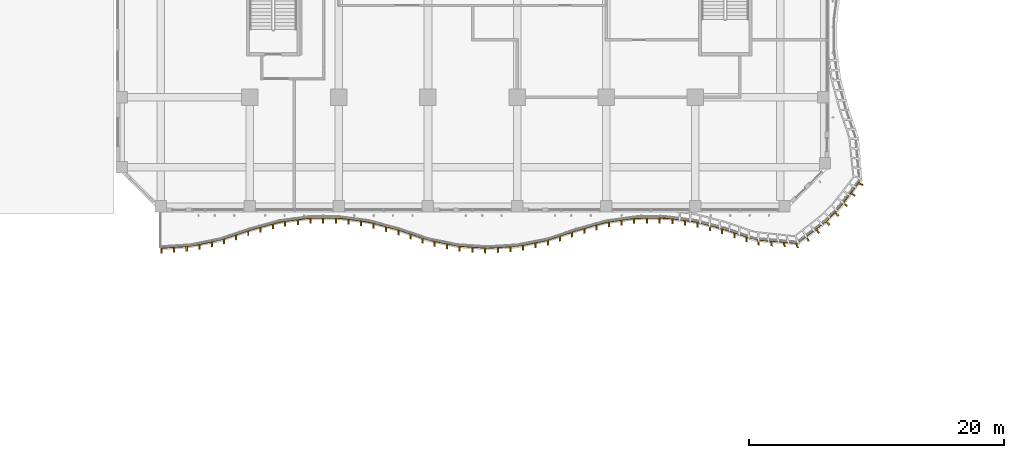
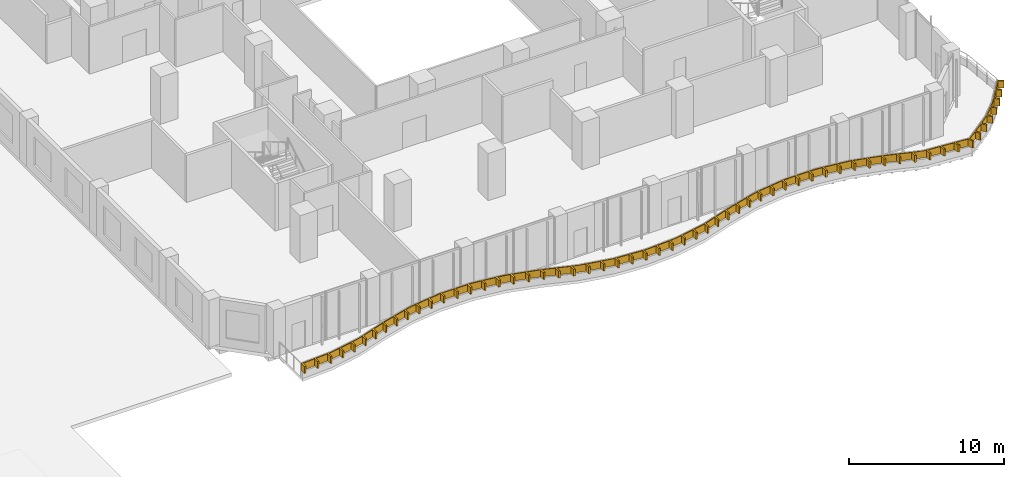
# One storey, part 23 of 29: 1 shading device.
"""IFC4 building model written with IfcOpenShell, lengths in metres."""

from ifc_helpers import new_model, si_unit, direction, frame, origin, place, context, subcontext, project, spatial, polyline, outline, extrude, source, transform, mapped, material, layer, layer_set, type_object, element, save


model = new_model("IFC4")

# Units and contexts
model_context = context("Model", 3, precision=1e-05, world=origin(), true_north=direction((0.0, 1.0)))
body_context = subcontext(model_context, "Body", "Model", "MODEL_VIEW")
ifc_project = project(units=[si_unit("LENGTHUNIT", "METRE"), si_unit("AREAUNIT", "SQUARE_METRE"), si_unit("VOLUMEUNIT", "CUBIC_METRE"), si_unit("PLANEANGLEUNIT", "RADIAN"), si_unit("MASSUNIT", "GRAM", prefix="KILO")], contexts=[model_context])

# Site, building, storey
site_placement = place(None, origin())
site = spatial("IfcSite", under=ifc_project, at=site_placement, CompositionType="ELEMENT")
building_placement = place(site_placement, origin())
building = spatial("IfcBuilding", under=site, at=building_placement, Name="Kilnfold Tower and Market Hall", CompositionType="ELEMENT")
storey_placement = place(building_placement, frame((0.0, 0.0, 27.0)))
storey = spatial("IfcBuildingStorey", under=building, at=storey_placement, Name="L05", CompositionType="ELEMENT", Elevation=27.0)

# Shading device
ifc_material = material(Name="Bronze anodised aluminium", Category="aluminium")
ifc_layer = layer(ifc_material, 0.550048828125)
ifc_layer_set = layer_set([ifc_layer], Name="Bronze anodised aluminium")
shading_device_type = type_object("IfcShadingDeviceType", Name="BRONZE SLAT FASCIA 550", PredefinedType="USERDEFINED", material=ifc_layer_set)
shared_shape = source(origin(), body_context, "Body", "SweptSolid", [
    extrude(outline(polyline([(-24.5, -31.25), (-24.5, -30.800048828125), (-22.166748046875, -30.646728515625), (-19.833251953125, -30.17919921875), (-17.5, -29.392333984375), (-15.166748046875, -28.753662109375), (-12.833251953125, -28.4404296875), (-10.5, -28.435791015625), (-8.166748046875, -28.739501953125), (-5.833251953125, -29.367919921875), (-3.5, -30.159912109375), (-1.166748046875, -30.637451171875), (1.166748046875, -30.7998046875), (3.5, -30.656005859375), (5.833251953125, -30.1982421875), (8.166748046875, -29.4169921875), (10.5, -28.76806640625), (12.833251953125, -28.4453125), (15.166748046875, -28.431396484375), (17.5, -28.7255859375), (19.833251953125, -29.34375), (22.166748046875, -30.14013671875), (25.505615234375, -30.427490234375), (27.633056640625, -28.7998046875), (28.7998046875, -27.633056640625), (30.378662109375, -25.569580078125), (30.364013671875, -25.715087890625), (30.699951171875, -25.866943359375), (30.624755859375, -25.9658203125), (30.2919921875, -25.80859375), (29.765869140625, -26.4951171875), (30.073974609375, -26.691650390625), (29.998779296875, -26.79052734375), (29.6943359375, -26.5888671875), (29.169921875, -27.276611328125), (29.447998046875, -27.516357421875), (29.372802734375, -27.615234375), (29.0986328125, -27.37060546875), (28.522216796875, -28.023681640625), (28.78369140625, -28.285400390625), (28.698974609375, -28.370361328125), (28.437255859375, -28.108642578125), (27.81494140625, -28.73095703125), (28.07666015625, -28.992431640625), (27.99169921875, -29.077392578125), (27.72998046875, -28.815673828125), (27.0458984375, -29.345703125), (27.272705078125, -29.6328125), (27.173828125, -29.7080078125), (26.951904296875, -29.417236328125), (26.264892578125, -29.9423828125), (26.447998046875, -30.2587890625), (26.34912109375, -30.333984375), (26.171142578125, -30.013916015625), (25.47119140625, -30.49609375), (25.610107421875, -30.83837890625), (25.4873046875, -30.82958984375), (25.35302734375, -30.48583984375), (24.4873046875, -30.412109375), (24.58544921875, -30.7646484375), (24.46240234375, -30.755859375), (24.369384765625, -30.402099609375), (23.504150390625, -30.32958984375), (23.560791015625, -30.690673828125), (23.437744140625, -30.681884765625), (23.385986328125, -30.31982421875), (22.52099609375, -30.248779296875), (22.535888671875, -30.61669921875), (22.412841796875, -30.60791015625), (22.403076171875, -30.2392578125), (21.561279296875, -30.013427734375), (21.561279296875, -30.383544921875), (21.44775390625, -30.3447265625), (21.44775390625, -29.974853515625), (20.614990234375, -29.6904296875), (20.614990234375, -30.060546875), (20.501220703125, -30.021728515625), (20.501220703125, -29.651611328125), (19.6650390625, -29.379150390625), (19.6650390625, -29.7490234375), (19.549072265625, -29.718505859375), (19.549072265625, -29.348388671875), (18.6982421875, -29.123046875), (18.6982421875, -29.492919921875), (18.582275390625, -29.46240234375), (18.582275390625, -29.09228515625), (17.731689453125, -28.866943359375), (17.731689453125, -29.237060546875), (17.61572265625, -29.206298828125), (17.61572265625, -28.836181640625), (16.74560546875, -28.71044921875), (16.74560546875, -29.08056640625), (16.626708984375, -29.0654296875), (16.626708984375, -28.695556640625), (15.75341796875, -28.58544921875), (15.75341796875, -28.95556640625), (15.634521484375, -28.9404296875), (15.634521484375, -28.570556640625), (14.758056640625, -28.513916015625), (14.758056640625, -28.8837890625), (14.63818359375, -28.884521484375), (14.63818359375, -28.5146484375), (13.75830078125, -28.52001953125), (13.75830078125, -28.889892578125), (13.63818359375, -28.890625), (13.63818359375, -28.5205078125), (12.7587890625, -28.53564453125), (12.7587890625, -28.90576171875), (12.639892578125, -28.922119140625), (12.639892578125, -28.552001953125), (11.768310546875, -28.672607421875), (11.768310546875, -29.042724609375), (11.6494140625, -29.05908203125), (11.6494140625, -28.689208984375), (10.777587890625, -28.809814453125), (10.777587890625, -29.1796875), (10.658935546875, -29.196044921875), (10.658935546875, -28.826171875), (9.806640625, -29.041015625), (9.806640625, -29.410888671875), (9.691162109375, -29.443115234375), (9.691162109375, -29.072998046875), (8.84326171875, -29.308837890625), (8.84326171875, -29.678955078125), (8.727783203125, -29.711181640625), (8.727783203125, -29.341064453125), (7.884521484375, -29.591552734375), (7.884521484375, -29.961669921875), (7.7705078125, -29.999755859375), (7.7705078125, -29.629638671875), (6.93603515625, -29.908935546875), (6.93603515625, -30.279052734375), (6.822265625, -30.317138671875), (6.822265625, -29.947021484375), (5.98779296875, -30.2265625), (5.98779296875, -30.596435546875), (5.8740234375, -30.634521484375), (5.8740234375, -30.2646484375), (5.011962890625, -30.439453125), (5.011962890625, -30.809326171875), (4.89404296875, -30.83251953125), (4.89404296875, -30.46240234375), (4.030517578125, -30.6318359375), (4.030517578125, -31.001953125), (3.912841796875, -31.02490234375), (3.912841796875, -30.655029296875), (3.04150390625, -30.764404296875), (3.04150390625, -31.13427734375), (2.921875, -31.1416015625), (2.921875, -30.771728515625), (2.04345703125, -30.82568359375), (2.04345703125, -31.19580078125), (1.923583984375, -31.203125), (1.923583984375, -30.833251953125), (1.04541015625, -30.87158203125), (1.04541015625, -31.241455078125), (0.92578125, -31.233154296875), (0.92578125, -30.863037109375), (0.0478515625, -30.802001953125), (0.0478515625, -31.172119140625), (-0.072021484375, -31.16357421875), (-0.072021484375, -30.793701171875), (-0.94970703125, -30.732421875), (-0.94970703125, -31.1025390625), (-1.0693359375, -31.09423828125), (-1.0693359375, -30.72412109375), (-1.933349609375, -30.560546875), (-1.933349609375, -30.930419921875), (-2.05078125, -30.906494140625), (-2.05078125, -30.53662109375), (-2.9130859375, -30.360107421875), (-2.9130859375, -30.72998046875), (-3.030517578125, -30.7060546875), (-3.030517578125, -30.3359375), (-3.879638671875, -30.111083984375), (-3.879638671875, -30.48095703125), (-3.9931640625, -30.4423828125), (-3.9931640625, -30.072509765625), (-4.826416015625, -29.78955078125), (-4.826416015625, -30.15966796875), (-4.940185546875, -30.12109375), (-4.940185546875, -29.7509765625), (-5.7734375, -29.468017578125), (-5.7734375, -29.838134765625), (-5.88818359375, -29.802978515625), (-5.88818359375, -29.43310546875), (-6.73779296875, -29.2041015625), (-6.73779296875, -29.57421875), (-6.853759765625, -29.54296875), (-6.853759765625, -29.173095703125), (-7.70361328125, -28.944091796875), (-7.70361328125, -29.314208984375), (-7.8193359375, -29.282958984375), (-7.8193359375, -28.9130859375), (-8.6826171875, -28.75244140625), (-8.6826171875, -29.122314453125), (-8.801513671875, -29.10693359375), (-8.801513671875, -28.73681640625), (-9.67431640625, -28.623291015625), (-9.67431640625, -28.993408203125), (-9.793212890625, -28.977783203125), (-9.793212890625, -28.60791015625), (-10.667236328125, -28.51611328125), (-10.667236328125, -28.88623046875), (-10.787353515625, -28.886474609375), (-10.787353515625, -28.5166015625), (-11.667236328125, -28.518310546875), (-11.667236328125, -28.88818359375), (-11.787353515625, -28.888427734375), (-11.787353515625, -28.518310546875), (-12.667236328125, -28.520263671875), (-12.667236328125, -28.89013671875), (-12.787353515625, -28.890380859375), (-12.787353515625, -28.5205078125), (-13.659912109375, -28.63134765625), (-13.659912109375, -29.00146484375), (-13.77880859375, -29.017333984375), (-13.77880859375, -28.6474609375), (-14.65087890625, -28.764404296875), (-14.65087890625, -29.134521484375), (-14.77001953125, -29.150390625), (-14.77001953125, -28.780517578125), (-15.62939453125, -28.960205078125), (-15.62939453125, -29.330078125), (-15.7451171875, -29.36181640625), (-15.7451171875, -28.991943359375), (-16.593994140625, -29.224365234375), (-16.593994140625, -29.59423828125), (-16.709716796875, -29.6259765625), (-16.709716796875, -29.255859375), (-17.557373046875, -29.49169921875), (-17.557373046875, -29.861572265625), (-17.671142578125, -29.89990234375), (-17.671142578125, -29.530029296875), (-18.5048828125, -29.811279296875), (-18.5048828125, -30.18115234375), (-18.61865234375, -30.219482421875), (-18.61865234375, -29.849609375), (-19.452392578125, -30.130859375), (-19.452392578125, -30.500732421875), (-19.566162109375, -30.5390625), (-19.566162109375, -30.169189453125), (-20.419921875, -30.376708984375), (-20.419921875, -30.74658203125), (-20.537353515625, -30.770263671875), (-20.537353515625, -30.400390625), (-21.400390625, -30.5732421875), (-21.400390625, -30.943115234375), (-21.517822265625, -30.966796875), (-21.517822265625, -30.5966796875), (-22.384521484375, -30.7412109375), (-22.384521484375, -31.111083984375), (-22.50439453125, -31.118896484375), (-22.50439453125, -30.7490234375), (-23.38232421875, -30.806640625), (-23.38232421875, -31.176513671875), (-23.502197265625, -31.1845703125), (-23.502197265625, -30.814453125), (-24.38037109375, -30.8720703125), (-24.38037109375, -31.2421875), (-24.5, -31.25)])), origin(), (0.0, 0.0, 1.0), 0.550048828125),
])
shading_device_placement = place(storey_placement, frame((0.0, 0.0, 0.550048828125)))
element("IfcShadingDevice", 1, at=shading_device_placement, inside=storey, type_object=shading_device_type, Name="Balcony slat fascia L05", ObjectType="SLAT", PredefinedType="USERDEFINED", context=body_context, shape_type="MappedRepresentation", body=[
    mapped(shared_shape, transform((0.0, 0.0, 0.0))),
])

save(model, "model.ifc")
